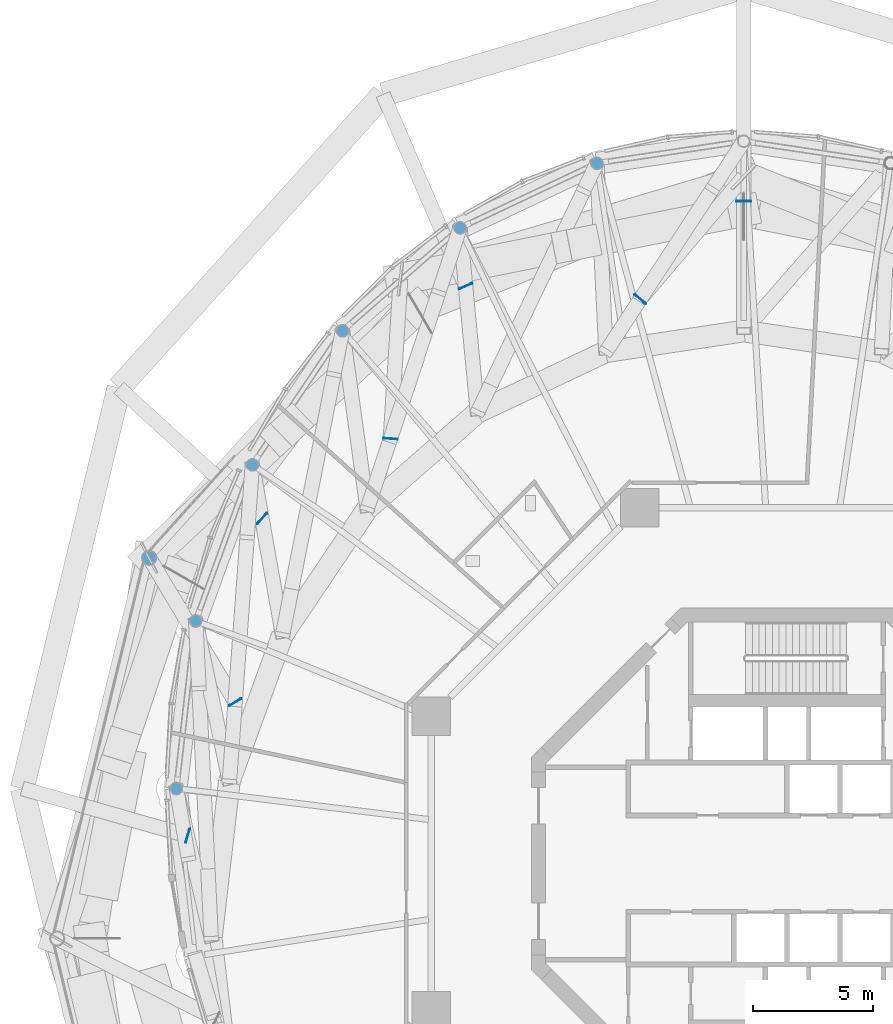
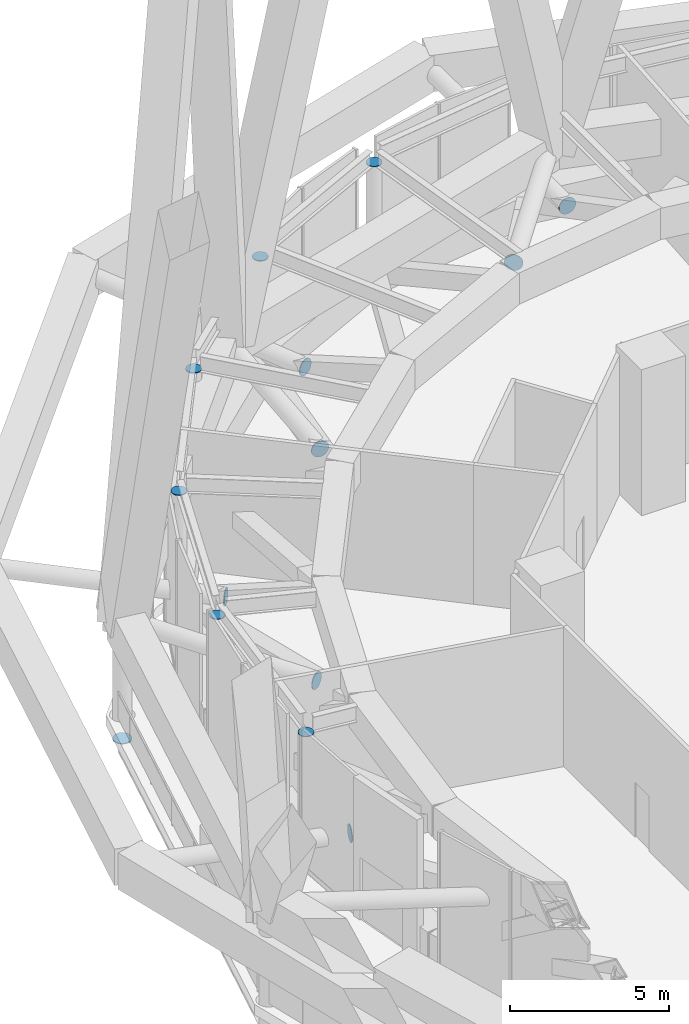
# One storey, part 45 of 48: 14 discrete accessories.
"""IFC4 building model written with IfcOpenShell, lengths in metres."""

from ifc_helpers import new_model, si_unit, direction, frame, origin, origin_2d, place, context, subcontext, project, spatial, circle, extrude, material, layer, layer_set, type_object, element, save


model = new_model("IFC4")

# Units and contexts
model_context = context("Model", 3, precision=1e-05, world=origin(), true_north=direction((0.0, 1.0)))
body_context = subcontext(model_context, "Body", "Model", "MODEL_VIEW")
ifc_project = project(units=[si_unit("LENGTHUNIT", "METRE"), si_unit("AREAUNIT", "SQUARE_METRE"), si_unit("VOLUMEUNIT", "CUBIC_METRE"), si_unit("PLANEANGLEUNIT", "RADIAN"), si_unit("MASSUNIT", "GRAM", prefix="KILO")], contexts=[model_context])

# Site, building, storey
site_placement = place(None, origin())
site = spatial("IfcSite", under=ifc_project, at=site_placement, CompositionType="ELEMENT")
building_placement = place(site_placement, origin())
building = spatial("IfcBuilding", under=site, at=building_placement, Name="Nagisa Residences", CompositionType="ELEMENT")
storey_placement = place(building_placement, frame((0.0, 0.0, 252.89990234375)))
storey = spatial("IfcBuildingStorey", under=building, at=storey_placement, Name="L64", CompositionType="ELEMENT", Elevation=252.89990234375)

# Discrete accessories
ifc_material_1 = material(Name="Steel ASTM A572 Gr 50", Category="steel")
ifc_layer_1 = layer(ifc_material_1, 0.030029296875)
ifc_layer_set_1 = layer_set([ifc_layer_1], Name="End plate")
discrete_accessory_type_1 = type_object("IfcDiscreteAccessoryType", Name="End plate", PredefinedType="ANCHORPLATE", material=ifc_layer_set_1)
discrete_accessory_1_placement = place(storey_placement, frame((-26.4990234375, 12.702392578125, -0.889892578125), z_axis=(0.0, 0.0, -1.0), x_axis=(1.0, 0.0, 0.0)))
element("IfcDiscreteAccessory", 1, at=discrete_accessory_1_placement, inside=storey, type_object=discrete_accessory_type_1, Name="End plate DH503", PredefinedType="ANCHORPLATE", context=body_context, shape_type="SweptSolid", body=[
    extrude(circle(Radius=0.304931640625, at=origin_2d()), origin(), (0.0, 0.0, 1.0), 0.030029296875),
])
for number, where, z_axis, x_axis, name in (
    (2, (-7.900390625, 29.091552734375, 4.737060546875), (0.0, 0.0, 1.0), (1.0, 0.0, 0.0), "End plate GP508"),
    (3, (-13.5849609375, 26.405029296875, 4.737060546875), (0.0, 0.0, 1.0), (1.0, 0.0, 0.0), "End plate GP509"),
    (4, (-18.466552734375, 22.1318359375, 4.737060546875), (0.0, 0.0, 1.0), (1.0, 0.0, 0.0), "End plate GP510"),
    (5, (-22.212158203125, 16.562744140625, 4.737060546875), (0.0, 0.0, 1.0), (1.0, 0.0, 0.0), "End plate GP511"),
    (6, (-24.56689453125, 10.077392578125, 4.737060546875), (0.0, 0.0, 1.0), (1.0, 0.0, 0.0), "End plate GP512"),
    (7, (-25.3701171875, 3.11767578125, 4.737060546875), (0.0, 0.0, 1.0), (1.0, 0.0, 0.0), "End plate GP513"),
):
    element("IfcDiscreteAccessory", number, at=place(storey_placement, frame(where, z_axis=z_axis, x_axis=x_axis)), inside=storey, type_object=discrete_accessory_type_1, Name=name, PredefinedType="ANCHORPLATE", context=body_context, shape_type="SweptSolid", body=[
        extrude(circle(Radius=0.25390625, at=origin_2d()), origin(), (0.0, 0.0, 1.0), 0.030029296875),
    ])
ifc_material_2 = material(Name="Steel ASTM A572 Gr 50", Category="steel")
ifc_layer_2 = layer(ifc_material_2, 0.030029296875)
ifc_layer_set_2 = layer_set([ifc_layer_2], Name="Node plate")
discrete_accessory_type_2 = type_object("IfcDiscreteAccessoryType", Name="Node plate", PredefinedType="ANCHORPLATE", material=ifc_layer_set_2)
discrete_accessory_2_placement = place(storey_placement, frame((-1.800048828125, 27.531494140625, 1.900146484375), z_axis=(0.0, -1.0, 0.0), x_axis=(1.0, 0.0, 0.0)))
element("IfcDiscreteAccessory", 8, at=discrete_accessory_2_placement, inside=storey, type_object=discrete_accessory_type_2, Name="Node plate ST5A04", PredefinedType="ANCHORPLATE", context=body_context, shape_type="SweptSolid", body=[
    extrude(circle(Radius=0.304931640625, at=origin_2d()), origin(), (0.0, 0.0, 1.0), 0.02978515625),
])
for number, where, z_axis, x_axis, name in (
    (9, (-13.357421875, 23.99853515625, 1.900146484375), (0.397835276281, -0.917456861627, 0.0), (0.917456861627, 0.397835276281, 0.0), "Node plate ST5A05"),
    (10, (-21.81787109375, 14.345703125, 1.900146484375), (0.738836941664, -0.673884243496, 0.0), (0.673884243496, 0.738836941664, 0.0), "Node plate ST5A06"),
):
    element("IfcDiscreteAccessory", number, at=place(storey_placement, frame(where, z_axis=z_axis, x_axis=x_axis)), inside=storey, type_object=discrete_accessory_type_2, Name=name, PredefinedType="ANCHORPLATE", context=body_context, shape_type="SweptSolid", body=[
        extrude(circle(Radius=0.304931640625, at=origin_2d()), origin(), (0.0, 0.0, 1.0), 0.030029296875),
    ])
discrete_accessory_3_placement = place(storey_placement, frame((-24.914794921875, 1.15966796875, 1.900146484375), z_axis=(0.961523947641, -0.274721127897, 0.0), x_axis=(0.274721127897, 0.961523947641, 0.0)))
element("IfcDiscreteAccessory", 11, at=discrete_accessory_3_placement, inside=storey, type_object=discrete_accessory_type_2, Name="Node plate ST5A07", PredefinedType="ANCHORPLATE", context=body_context, shape_type="SweptSolid", body=[
    extrude(circle(Radius=0.304931640625, at=origin_2d()), origin(), (0.0, 0.0, 1.0), 0.0302734375),
])
discrete_accessory_4_placement = place(storey_placement, frame((-6.0869140625, 23.459228515625, 3.7001953125), z_axis=(-0.643383062882, -0.765544403935, 0.0), x_axis=(0.765544403935, -0.643383062882, 0.0)))
element("IfcDiscreteAccessory", 12, at=discrete_accessory_4_placement, inside=storey, type_object=discrete_accessory_type_2, Name="Node plate ST6B04", PredefinedType="ANCHORPLATE", context=body_context, shape_type="SweptSolid", body=[
    extrude(circle(Radius=0.304931640625, at=origin_2d()), origin(), (0.0, 0.0, 1.0), 0.030029296875),
])
discrete_accessory_5_placement = place(storey_placement, frame((-16.472412109375, 17.66259765625, 3.7001953125), z_axis=(-0.065433242561, -0.99785694905, 0.0), x_axis=(0.99785694905, -0.065433242561, 0.0)))
element("IfcDiscreteAccessory", 13, at=discrete_accessory_5_placement, inside=storey, type_object=discrete_accessory_type_2, Name="Node plate ST6B05", PredefinedType="ANCHORPLATE", context=body_context, shape_type="SweptSolid", body=[
    extrude(circle(Radius=0.304931640625, at=origin_2d()), origin(), (0.0, 0.0, 1.0), 0.02978515625),
])
discrete_accessory_6_placement = place(storey_placement, frame((-22.926513671875, 6.7177734375, 3.7001953125), z_axis=(0.510913451654, -0.85963215675, 0.0), x_axis=(0.85963215675, 0.510913451654, 0.0)))
element("IfcDiscreteAccessory", 14, at=discrete_accessory_6_placement, inside=storey, type_object=discrete_accessory_type_2, Name="Node plate ST6B06", PredefinedType="ANCHORPLATE", context=body_context, shape_type="SweptSolid", body=[
    extrude(circle(Radius=0.304931640625, at=origin_2d()), origin(), (0.0, 0.0, 1.0), 0.030029296875),
])

save(model, "model.ifc")
